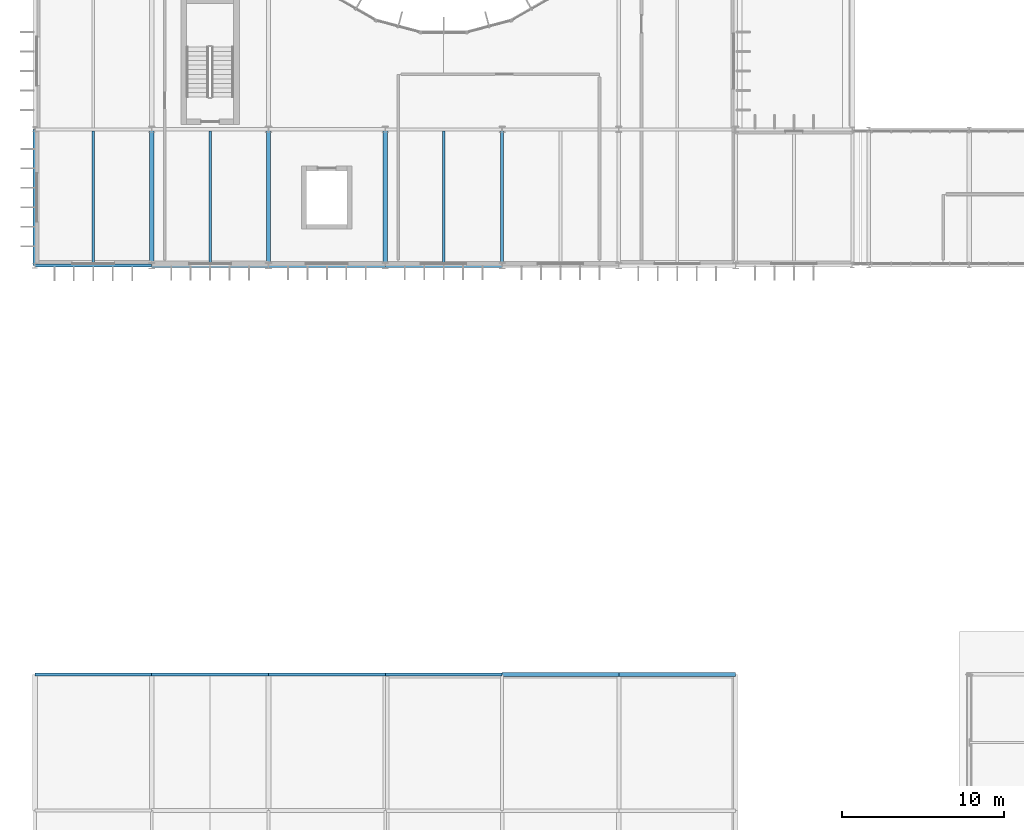
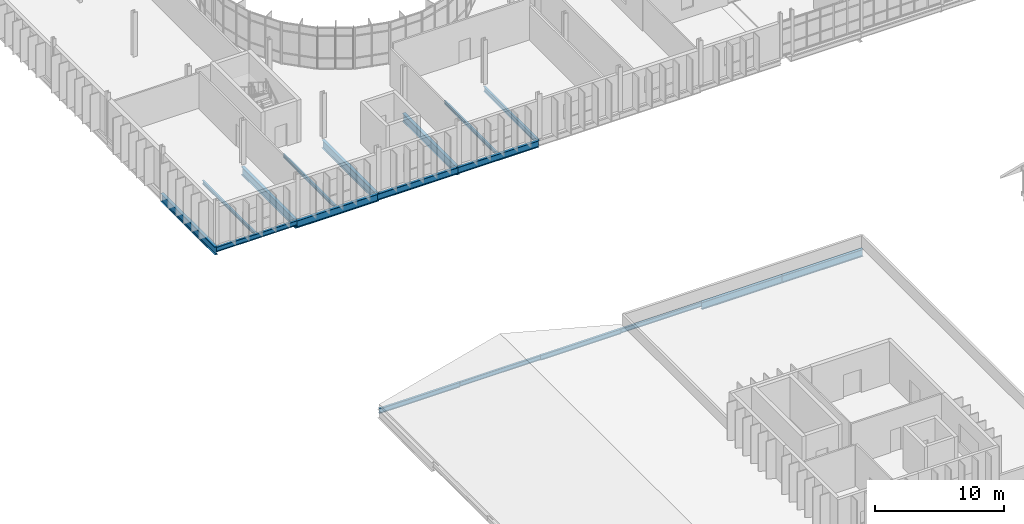
# One storey, part 21 of 99: 18 beams.
"""IFC4 building model written with IfcOpenShell, lengths in metres."""

from ifc_helpers import new_model, si_unit, direction, frame, origin, origin_2d, place, context, subcontext, project, spatial, i_section, extrude, material, material_profile, profile_set, type_object, element, save


model = new_model("IFC4")

# Units and contexts
model_context = context("Model", 3, precision=1e-05, world=origin(), true_north=direction((0.0, 1.0)))
body_context = subcontext(model_context, "Body", "Model", "MODEL_VIEW")
ifc_project = project(units=[si_unit("LENGTHUNIT", "METRE"), si_unit("AREAUNIT", "SQUARE_METRE"), si_unit("VOLUMEUNIT", "CUBIC_METRE"), si_unit("PLANEANGLEUNIT", "RADIAN"), si_unit("MASSUNIT", "GRAM", prefix="KILO")], contexts=[model_context])

# Site, building, storey
site_placement = place(None, origin())
site = spatial("IfcSite", under=ifc_project, at=site_placement, CompositionType="ELEMENT")
building_placement = place(site_placement, origin())
building = spatial("IfcBuilding", under=site, at=building_placement, Name="Qelthora Terrace Specialist Clinic", CompositionType="ELEMENT")
storey_placement = place(building_placement, frame((0.0, 0.0, 9.0)))
storey = spatial("IfcBuildingStorey", under=building, at=storey_placement, Name="L02", CompositionType="ELEMENT", Elevation=9.0)

# Beams
ifc_material = material(Name="Steel S355", Category="steel")
ifc_material_profile_1 = material_profile(ifc_material, i_section(OverallWidth=0.178955078125, OverallDepth=0.409912109375, WebThickness=0.0087890625, FlangeThickness=0.014404296875, FilletRadius=0.011962890625, at=origin_2d()), Name="W410X67")
ifc_profile_set_1 = profile_set([ifc_material_profile_1], Name="Steel S355")
beam_type_1 = type_object("IfcBeamType", Name="BM-W410X67", PredefinedType="BEAM", material=ifc_profile_set_1)
for number, where, z_axis, x_axis, name in (
    (1, (7.199951171875, 33.60009765625, -0.455078125), (1.0, 0.0, 0.0), (0.0, 1.0, 0.0), "Girder BMX-L02-0600"),
    (2, (21.60009765625, 33.60009765625, -0.458984375), (1.0, 0.0, 0.0), (0.0, 1.0, 0.0), "Girder BMX-L02-0602"),
):
    element("IfcBeam", number, at=place(storey_placement, frame(where, z_axis=z_axis, x_axis=x_axis)), inside=storey, type_object=beam_type_1, Name=name, PredefinedType="BEAM", context=body_context, shape_type="SweptSolid", body=[
        extrude(i_section(OverallWidth=0.178955078125, OverallDepth=0.409912109375, WebThickness=0.0087890625, FlangeThickness=0.014404296875, FilletRadius=0.011962890625, at=origin_2d()), origin(), (0.0, 0.0, 1.0), 7.199951171875),
    ])
ifc_material_profile_2 = material_profile(ifc_material, i_section(OverallWidth=0.19091796875, OverallDepth=0.4599609375, WebThickness=0.010009765625, FlangeThickness=0.01611328125, FilletRadius=0.012939453125, at=origin_2d()), Name="W460X82")
ifc_profile_set_2 = profile_set([ifc_material_profile_2], Name="Steel S355")
beam_type_2 = type_object("IfcBeamType", Name="BM-W460X82", PredefinedType="BEAM", material=ifc_profile_set_2)
beam_1_placement = place(storey_placement, frame((14.39990234375, 33.60009765625, -0.47998046875), z_axis=(1.0, 0.0, 0.0), x_axis=(0.0, 1.0, 0.0)))
element("IfcBeam", 3, at=beam_1_placement, inside=storey, type_object=beam_type_2, Name="Girder BMX-L02-0601", PredefinedType="BEAM", context=body_context, shape_type="SweptSolid", body=[
    extrude(i_section(OverallWidth=0.19091796875, OverallDepth=0.4599609375, WebThickness=0.010009765625, FlangeThickness=0.01611328125, FilletRadius=0.012939453125, at=origin_2d()), origin(), (0.0, 0.0, 1.0), 7.2001953125),
])
beam_2_placement = place(storey_placement, frame((28.800048828125, 58.800048828125, -0.47998046875), z_axis=(0.0, 1.0, 0.0), x_axis=(-1.0, 0.0, 0.0)))
element("IfcBeam", 4, at=beam_2_placement, inside=storey, type_object=beam_type_2, Name="Girder BMY-L02-0778", PredefinedType="BEAM", context=body_context, shape_type="SweptSolid", body=[
    extrude(i_section(OverallWidth=0.19091796875, OverallDepth=0.4599609375, WebThickness=0.010009765625, FlangeThickness=0.01611328125, FilletRadius=0.012939453125, at=origin_2d()), origin(), (0.0, 0.0, 1.0), 8.39990234375),
])
ifc_material_profile_3 = material_profile(ifc_material, i_section(OverallWidth=0.22900390625, OverallDepth=0.612060546875, WebThickness=0.011962890625, FlangeThickness=0.01953125, FilletRadius=0.01611328125, at=origin_2d()), Name="W610X125")
ifc_profile_set_3 = profile_set([ifc_material_profile_3], Name="Steel S355")
beam_type_3 = type_object("IfcBeamType", Name="BM-W610X125", PredefinedType="BEAM", material=ifc_profile_set_3)
beam_3_placement = place(storey_placement, frame((21.60009765625, 58.800048828125, -0.555908203125), z_axis=(1.0, 0.0, 0.0), x_axis=(0.0, 1.0, 0.0)))
element("IfcBeam", 5, at=beam_3_placement, inside=storey, type_object=beam_type_3, Name="Girder BMX-L02-0634", PredefinedType="BEAM", context=body_context, shape_type="SweptSolid", body=[
    extrude(i_section(OverallWidth=0.22900390625, OverallDepth=0.612060546875, WebThickness=0.011962890625, FlangeThickness=0.01953125, FilletRadius=0.01611328125, at=origin_2d()), origin(), (0.0, 0.0, 1.0), 7.199951171875),
])
ifc_material_profile_4 = material_profile(ifc_material, i_section(OverallWidth=0.22998046875, OverallDepth=0.616943359375, WebThickness=0.01318359375, FlangeThickness=0.022216796875, FilletRadius=0.01611328125, at=origin_2d()), Name="W610X140")
ifc_profile_set_4 = profile_set([ifc_material_profile_4], Name="Steel S355")
beam_type_4 = type_object("IfcBeamType", Name="BM-W610X140", PredefinedType="BEAM", material=ifc_profile_set_4)
beam_4_placement = place(storey_placement, frame((14.39990234375, 58.800048828125, -0.55859375), z_axis=(1.0, 0.0, 0.0), x_axis=(0.0, 1.0, 0.0)))
element("IfcBeam", 6, at=beam_4_placement, inside=storey, type_object=beam_type_4, Name="Girder BMX-L02-0633", PredefinedType="BEAM", context=body_context, shape_type="SweptSolid", body=[
    extrude(i_section(OverallWidth=0.22998046875, OverallDepth=0.616943359375, WebThickness=0.01318359375, FlangeThickness=0.022216796875, FilletRadius=0.01611328125, at=origin_2d()), origin(), (0.0, 0.0, 1.0), 7.2001953125),
])
ifc_material_profile_5 = material_profile(ifc_material, i_section(OverallWidth=0.25390625, OverallDepth=0.68798828125, WebThickness=0.01318359375, FlangeThickness=0.02099609375, FilletRadius=0.01806640625, at=origin_2d()), Name="W690X152")
ifc_profile_set_5 = profile_set([ifc_material_profile_5], Name="Steel S355")
beam_type_5 = type_object("IfcBeamType", Name="BM-W690X152", PredefinedType="BEAM", material=ifc_profile_set_5)
for number, where, z_axis, x_axis, name in (
    (7, (36.0, 33.60009765625, -0.597900390625), (1.0, 0.0, 0.0), (0.0, 1.0, 0.0), "Girder BMX-L02-0604"),
    (8, (7.199951171875, 58.800048828125, -0.593994140625), (1.0, 0.0, 0.0), (0.0, 1.0, 0.0), "Girder BMX-L02-0632"),
):
    element("IfcBeam", number, at=place(storey_placement, frame(where, z_axis=z_axis, x_axis=x_axis)), inside=storey, type_object=beam_type_5, Name=name, PredefinedType="BEAM", context=body_context, shape_type="SweptSolid", body=[
        extrude(i_section(OverallWidth=0.25390625, OverallDepth=0.68798828125, WebThickness=0.01318359375, FlangeThickness=0.02099609375, FilletRadius=0.01806640625, at=origin_2d()), origin(), (0.0, 0.0, 1.0), 7.199951171875),
    ])
ifc_material_profile_6 = material_profile(ifc_material, i_section(OverallWidth=0.256103515625, OverallDepth=0.693115234375, WebThickness=0.014404296875, FlangeThickness=0.023681640625, FilletRadius=0.01806640625, at=origin_2d()), Name="W690X170")
ifc_profile_set_6 = profile_set([ifc_material_profile_6], Name="Steel S355")
beam_type_6 = type_object("IfcBeamType", Name="BM-W690X170", PredefinedType="BEAM", material=ifc_profile_set_6)
beam_5_placement = place(storey_placement, frame((28.800048828125, 33.60009765625, -0.6005859375), z_axis=(1.0, 0.0, 0.0), x_axis=(0.0, 1.0, 0.0)))
element("IfcBeam", 9, at=beam_5_placement, inside=storey, type_object=beam_type_6, Name="Girder BMX-L02-0603", PredefinedType="BEAM", context=body_context, shape_type="SweptSolid", body=[
    extrude(i_section(OverallWidth=0.256103515625, OverallDepth=0.693115234375, WebThickness=0.014404296875, FlangeThickness=0.023681640625, FilletRadius=0.01806640625, at=origin_2d()), origin(), (0.0, 0.0, 1.0), 7.199951171875),
])
ifc_material_profile_7 = material_profile(ifc_material, i_section(OverallWidth=0.26806640625, OverallDepth=0.77001953125, WebThickness=0.015625, FlangeThickness=0.025390625, FilletRadius=0.01904296875, at=origin_2d()), Name="W760X196")
ifc_profile_set_7 = profile_set([ifc_material_profile_7], Name="Steel S355")
beam_type_7 = type_object("IfcBeamType", Name="BM-W760X196", PredefinedType="BEAM", material=ifc_profile_set_7)
for number, where, z_axis, x_axis, name in (
    (10, (0.0, 58.800048828125, -0.635009765625), (0.0, 1.0, 0.0), (-1.0, 0.0, 0.0), "Girder BMY-L02-0742"),
    (11, (7.199951171875, 58.800048828125, -0.635009765625), (0.0, 1.0, 0.0), (-1.0, 0.0, 0.0), "Girder BMY-L02-0752"),
    (12, (14.39990234375, 58.800048828125, -0.635009765625), (0.0, 1.0, 0.0), (-1.0, 0.0, 0.0), "Girder BMY-L02-0762"),
    (13, (21.60009765625, 58.800048828125, -0.635009765625), (0.0, 1.0, 0.0), (-1.0, 0.0, 0.0), "Girder BMY-L02-0772"),
):
    element("IfcBeam", number, at=place(storey_placement, frame(where, z_axis=z_axis, x_axis=x_axis)), inside=storey, type_object=beam_type_7, Name=name, PredefinedType="BEAM", context=body_context, shape_type="SweptSolid", body=[
        extrude(i_section(OverallWidth=0.26806640625, OverallDepth=0.77001953125, WebThickness=0.015625, FlangeThickness=0.025390625, FilletRadius=0.01904296875, at=origin_2d()), origin(), (0.0, 0.0, 1.0), 8.39990234375),
    ])
ifc_material_profile_8 = material_profile(ifc_material, i_section(OverallWidth=0.166015625, OverallDepth=0.31298828125, WebThickness=0.006591796875, FlangeThickness=0.01123046875, FilletRadius=0.010009765625, at=origin_2d()), Name="W310X45")
ifc_profile_set_8 = profile_set([ifc_material_profile_8], Name="Steel S355")
beam_type_8 = type_object("IfcBeamType", Name="JST-W310X45", PredefinedType="JOIST", material=ifc_profile_set_8)
beam_6_placement = place(storey_placement, frame((3.60009765625, 58.8955078125, -0.406494140625), z_axis=(0.0, 1.0, 0.0), x_axis=(-1.0, 0.0, 0.0)))
element("IfcBeam", 14, at=beam_6_placement, inside=storey, type_object=beam_type_8, Name="Composite floor joist JST-L02-0148", PredefinedType="JOIST", context=body_context, shape_type="SweptSolid", body=[
    extrude(i_section(OverallWidth=0.166015625, OverallDepth=0.31298828125, WebThickness=0.006591796875, FlangeThickness=0.01123046875, FilletRadius=0.010009765625, at=origin_2d()), origin(), (0.0, 0.0, 1.0), 8.208984375),
])
beam_7_placement = place(storey_placement, frame((10.800048828125, 58.927001953125, -0.406494140625), z_axis=(0.0, 1.0, 0.0), x_axis=(-1.0, 0.0, 0.0)))
element("IfcBeam", 15, at=beam_7_placement, inside=storey, type_object=beam_type_8, Name="Composite floor joist JST-L02-0154", PredefinedType="JOIST", context=body_context, shape_type="SweptSolid", body=[
    extrude(i_section(OverallWidth=0.166015625, OverallDepth=0.31298828125, WebThickness=0.006591796875, FlangeThickness=0.01123046875, FilletRadius=0.010009765625, at=origin_2d()), origin(), (0.0, 0.0, 1.0), 8.1669921875),
])
beam_8_placement = place(storey_placement, frame((25.199951171875, 58.91455078125, -0.406494140625), z_axis=(0.0, 1.0, 0.0), x_axis=(-1.0, 0.0, 0.0)))
element("IfcBeam", 16, at=beam_8_placement, inside=storey, type_object=beam_type_8, Name="Composite floor joist JST-L02-0160", PredefinedType="JOIST", context=body_context, shape_type="SweptSolid", body=[
    extrude(i_section(OverallWidth=0.166015625, OverallDepth=0.31298828125, WebThickness=0.006591796875, FlangeThickness=0.01123046875, FilletRadius=0.010009765625, at=origin_2d()), origin(), (0.0, 0.0, 1.0), 8.18896484375),
])
ifc_material_profile_9 = material_profile(ifc_material, i_section(OverallWidth=0.19091796875, OverallDepth=0.4599609375, WebThickness=0.010009765625, FlangeThickness=0.01611328125, FilletRadius=0.012939453125, at=origin_2d()), Name="W460X82")
ifc_profile_set_9 = profile_set([ifc_material_profile_9], Name="Steel S355")
beam_type_9 = type_object("IfcBeamType", Name="SPD-W460X82", PredefinedType="SPANDREL", material=ifc_profile_set_9)
for number, where, z_axis, x_axis, name in (
    (17, (0.0, 33.60009765625, -0.47998046875), (1.0, 0.0, 0.0), (0.0, 1.0, 0.0), "Girder BMX-L02-0599"),
    (18, (0.0, 58.800048828125, -0.47998046875), (1.0, 0.0, 0.0), (0.0, 1.0, 0.0), "Girder BMX-L02-0631"),
):
    element("IfcBeam", number, at=place(storey_placement, frame(where, z_axis=z_axis, x_axis=x_axis)), inside=storey, type_object=beam_type_9, Name=name, PredefinedType="SPANDREL", context=body_context, shape_type="SweptSolid", body=[
        extrude(i_section(OverallWidth=0.19091796875, OverallDepth=0.4599609375, WebThickness=0.010009765625, FlangeThickness=0.01611328125, FilletRadius=0.012939453125, at=origin_2d()), origin(), (0.0, 0.0, 1.0), 7.199951171875),
    ])

save(model, "model.ifc")
